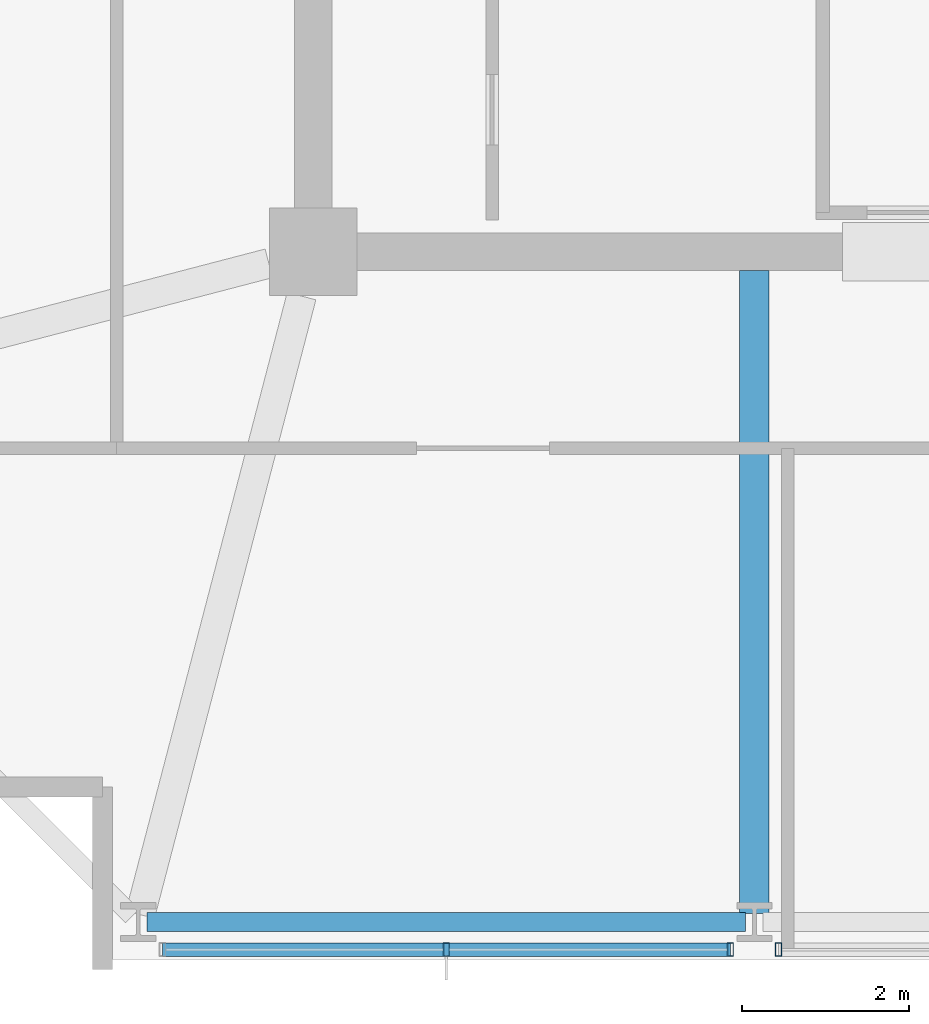
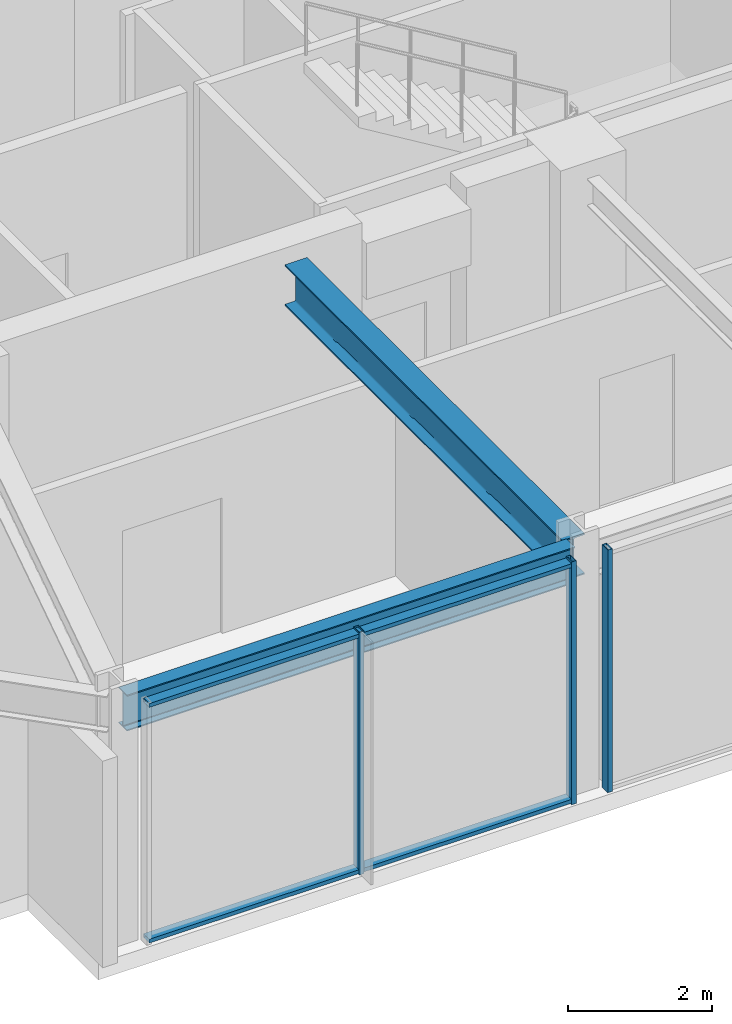
# One storey, part 3 of 26: 5 members, 2 beams, 2 elements without a shape of their own.
"""IFC4 building model written with IfcOpenShell, lengths in metres."""

from ifc_helpers import new_model, si_unit, direction, frame, origin, origin_2d, place, context, subcontext, project, spatial, hollow_rectangle, i_section, extrude, material, material_profile, profile_set, type_object, element, aggregate, save


model = new_model("IFC4")

# Units and contexts
model_context = context("Model", 3, precision=1e-05, world=origin(), true_north=direction((0.0, 1.0)))
body_context = subcontext(model_context, "Body", "Model", "MODEL_VIEW")
ifc_project = project(units=[si_unit("LENGTHUNIT", "METRE"), si_unit("AREAUNIT", "SQUARE_METRE"), si_unit("VOLUMEUNIT", "CUBIC_METRE"), si_unit("PLANEANGLEUNIT", "RADIAN"), si_unit("MASSUNIT", "GRAM", prefix="KILO")], contexts=[model_context])

# Site, building, storey
site_placement = place(None, origin())
site = spatial("IfcSite", under=ifc_project, at=site_placement, CompositionType="ELEMENT")
building_placement = place(site_placement, origin())
building = spatial("IfcBuilding", under=site, at=building_placement, Name="Kolvaren Belvedere", CompositionType="ELEMENT")
storey_placement = place(building_placement, frame((0.0, 0.0, 258.39990234375)))
storey = spatial("IfcBuildingStorey", under=building, at=storey_placement, Name="L75", CompositionType="ELEMENT", Elevation=258.39990234375)

# Beams
ifc_material_1 = material(Name="Structural steel ASTM A992 Grade 50", Category="steel")
ifc_material_profile_1 = material_profile(ifc_material_1, i_section(OverallWidth=0.35498046875, OverallDepth=0.696044921875, WebThickness=0.015380859375, FlangeThickness=0.02490234375, FilletRadius=0.02197265625, at=origin_2d()), Name="W27X146")
ifc_profile_set_1 = profile_set([ifc_material_profile_1], Name="Structural steel ASTM A992 Grade 50")
beam_type_1 = type_object("IfcBeamType", Name="BM-GIRD-W27X146", PredefinedType="BEAM", material=ifc_profile_set_1)
beam_1_placement = place(storey_placement, frame((-4.60009765625, -10.125, 3.772216796875), z_axis=(0.0, -1.0, 0.0), x_axis=(1.0, 0.0, 0.0)))
element("IfcBeam", 1, at=beam_1_placement, inside=storey, type_object=beam_type_1, Name="L75 South Radial Girder M", PredefinedType="BEAM", context=body_context, shape_type="SweptSolid", body=[
    extrude(i_section(OverallWidth=0.35498046875, OverallDepth=0.696044921875, WebThickness=0.015380859375, FlangeThickness=0.02490234375, FilletRadius=0.02197265625, at=origin_2d()), origin(), (0.0, 0.0, 1.0), 7.720458984375),
])
ifc_material_2 = material(Name="Structural steel ASTM A992 Grade 50", Category="steel")
ifc_material_profile_2 = material_profile(ifc_material_2, i_section(OverallWidth=0.22900390625, OverallDepth=0.612060546875, WebThickness=0.011962890625, FlangeThickness=0.01953125, FilletRadius=0.01806640625, at=origin_2d()), Name="W24X84")
ifc_profile_set_2 = profile_set([ifc_material_profile_2], Name="Structural steel ASTM A992 Grade 50")
beam_type_2 = type_object("IfcBeamType", Name="BM-SPAN-W24X84", PredefinedType="SPANDREL", material=ifc_profile_set_2)
beam_2_placement = place(storey_placement, frame((-11.8955078125, -17.949951171875, 3.814208984375), z_axis=(1.0, 0.0, 0.0), x_axis=(0.0, 1.0, 0.0)))
element("IfcBeam", 2, at=beam_2_placement, inside=storey, type_object=beam_type_2, Name="L75 Perimeter Spandrel S1-S2", PredefinedType="SPANDREL", context=body_context, shape_type="SweptSolid", body=[
    extrude(i_section(OverallWidth=0.22900390625, OverallDepth=0.612060546875, WebThickness=0.011962890625, FlangeThickness=0.01953125, FilletRadius=0.01806640625, at=origin_2d()), origin(), (0.0, 0.0, 1.0), 7.19091796875),
])

# Curtain wall, member
ifc_material_3 = material(Name="Anodised pale-metal aluminium AA 6063-T6", Category="aluminium")
curtain_wall_type = type_object("IfcCurtainWallType", Name="CW-CRN-OBS", PredefinedType="NOTDEFINED", material=ifc_material_3)
curtain_wall_1_placement = place(storey_placement, origin())
curtain_wall_1 = element("IfcCurtainWall", 3, at=curtain_wall_1_placement, inside=storey, type_object=curtain_wall_type, Name="L75 Unitised Curtain Wall FCW-L75-S-B2", PredefinedType="NOTDEFINED")
ifc_material_4 = material(Name="Anodised pale-metal aluminium AA 6063-T6", Category="aluminium")
ifc_material_profile_3 = material_profile(ifc_material_4, hollow_rectangle(XDim=0.074951171875, YDim=0.159912109375, WallThickness=0.00439453125, at=origin_2d()), Name="ALU-MUL-160X75")
ifc_profile_set_3 = profile_set([ifc_material_profile_3], Name="Anodised pale-metal aluminium AA 6063-T6")
member_type_1 = type_object("IfcMemberType", Name="CW-MUL-160", PredefinedType="MULLION", material=ifc_profile_set_3)
member_1_placement = place(storey_placement, frame((-4.31005859375, -18.280029296875, 0.0), z_axis=(0.0, 0.0, 1.0), x_axis=(1.0, 0.0, 0.0)))
member_1 = element("IfcMember", 4, at=member_1_placement, type_object=member_type_1, Name="FCW-L75-S-B2 Unitised Mullion 3", PredefinedType="MULLION", context=body_context, shape_type="SweptSolid", body=[
    extrude(hollow_rectangle(XDim=0.074951171875, YDim=0.159912109375, WallThickness=0.00439453125, at=origin_2d()), origin(), (0.0, 0.0, 1.0), 4.1201171875),
])
aggregate(curtain_wall_1, [member_1])

# Curtain wall, members
curtain_wall_2_placement = place(storey_placement, origin())
curtain_wall_2 = element("IfcCurtainWall", 5, at=curtain_wall_2_placement, inside=storey, type_object=curtain_wall_type, Name="L75 Unitised Curtain Wall FCW-L75-S-B3", PredefinedType="NOTDEFINED")
member_2_placement = place(storey_placement, frame((-4.889892578125, -18.280029296875, 0.0), z_axis=(0.0, 0.0, 1.0), x_axis=(1.0, 0.0, 0.0)))
member_2 = element("IfcMember", 6, at=member_2_placement, type_object=member_type_1, Name="FCW-L75-S-B3 Unitised Mullion 1", PredefinedType="MULLION", context=body_context, shape_type="SweptSolid", body=[
    extrude(hollow_rectangle(XDim=0.074951171875, YDim=0.159912109375, WallThickness=0.00439453125, at=origin_2d()), origin(), (0.0, 0.0, 1.0), 4.1201171875),
])
member_3_placement = place(storey_placement, frame((-8.300048828125, -18.280029296875, 0.0), z_axis=(0.0, 0.0, 1.0), x_axis=(1.0, 0.0, 0.0)))
member_3 = element("IfcMember", 7, at=member_3_placement, type_object=member_type_1, Name="FCW-L75-S-B3 Unitised Mullion 2", PredefinedType="MULLION", context=body_context, shape_type="SweptSolid", body=[
    extrude(hollow_rectangle(XDim=0.074951171875, YDim=0.159912109375, WallThickness=0.00439453125, at=origin_2d()), origin(), (0.0, 0.0, 1.0), 4.1201171875),
])
ifc_material_5 = material(Name="Anodised pale-metal aluminium AA 6063-T6", Category="aluminium")
ifc_material_profile_4 = material_profile(ifc_material_5, hollow_rectangle(XDim=0.06494140625, YDim=0.159912109375, WallThickness=0.00390625, at=origin_2d()), Name="ALU-TRN-160X65")
ifc_profile_set_4 = profile_set([ifc_material_profile_4], Name="Anodised pale-metal aluminium AA 6063-T6")
member_type_2 = type_object("IfcMemberType", Name="CW-TRN-160", PredefinedType="USERDEFINED", material=ifc_profile_set_4)
member_4_placement = place(storey_placement, frame((-4.889892578125, -18.280029296875, 0.06005859375), z_axis=(-1.0, 0.0, 0.0), x_axis=(0.0, 0.0, 1.0)))
member_4 = element("IfcMember", 8, at=member_4_placement, type_object=member_type_2, Name="FCW-L75-S-B3 Sill Transom", ObjectType="TRANSOM", PredefinedType="USERDEFINED", context=body_context, shape_type="SweptSolid", body=[
    extrude(hollow_rectangle(XDim=0.06494140625, YDim=0.159912109375, WallThickness=0.00390625, at=origin_2d()), origin(), (0.0, 0.0, 1.0), 6.820068359375),
])
member_5_placement = place(storey_placement, frame((-4.889892578125, -18.280029296875, 4.06005859375), z_axis=(-1.0, 0.0, 0.0), x_axis=(0.0, 0.0, 1.0)))
member_5 = element("IfcMember", 9, at=member_5_placement, type_object=member_type_2, Name="FCW-L75-S-B3 Head Transom", ObjectType="TRANSOM", PredefinedType="USERDEFINED", context=body_context, shape_type="SweptSolid", body=[
    extrude(hollow_rectangle(XDim=0.06494140625, YDim=0.159912109375, WallThickness=0.00390625, at=origin_2d()), origin(), (0.0, 0.0, 1.0), 6.820068359375),
])
aggregate(curtain_wall_2, [member_2, member_3, member_4, member_5])

save(model, "model.ifc")
